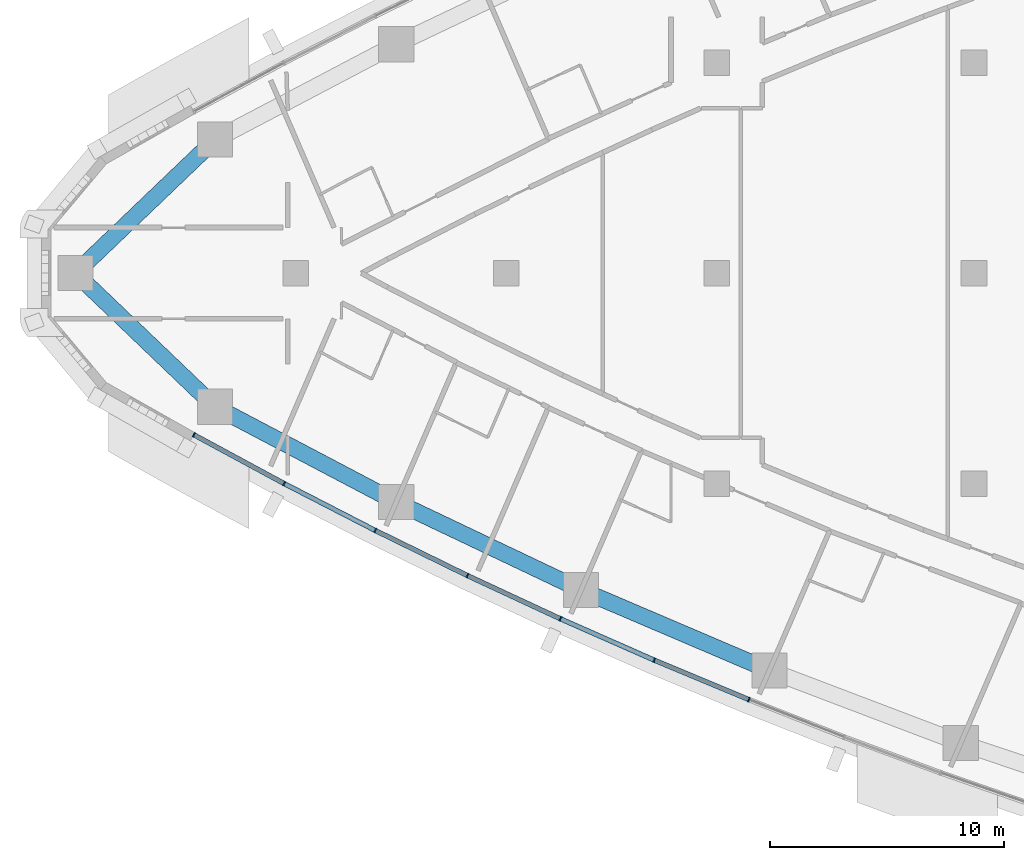
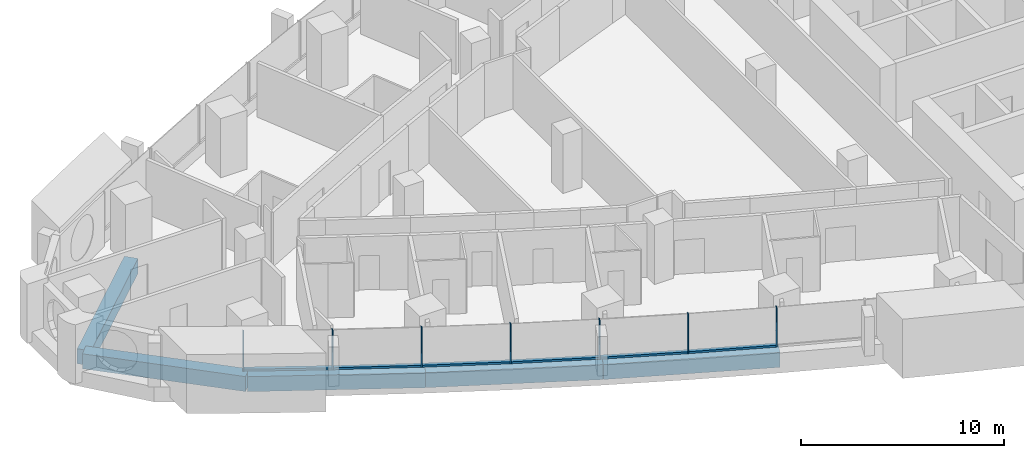
# One storey, part 2 of 17: 13 members, 5 beams, 3 elements without a shape of their own.
"""IFC4 building model written with IfcOpenShell, lengths in metres."""

from ifc_helpers import new_model, si_unit, direction, frame, origin, origin_2d, place, context, subcontext, project, spatial, rectangle, extrude, material, layer, layer_set, material_profile, profile_set, type_object, element, aggregate, save


model = new_model("IFC4")

# Units and contexts
model_context = context("Model", 3, precision=1e-05, world=origin(), true_north=direction((0.0, 1.0)))
body_context = subcontext(model_context, "Body", "Model", "MODEL_VIEW")
ifc_project = project(units=[si_unit("LENGTHUNIT", "METRE"), si_unit("AREAUNIT", "SQUARE_METRE"), si_unit("VOLUMEUNIT", "CUBIC_METRE"), si_unit("PLANEANGLEUNIT", "RADIAN"), si_unit("MASSUNIT", "GRAM", prefix="KILO")], contexts=[model_context])

# Site, building, storey
site_placement = place(None, origin())
site = spatial("IfcSite", under=ifc_project, at=site_placement, CompositionType="ELEMENT")
building_placement = place(site_placement, origin())
building = spatial("IfcBuilding", under=site, at=building_placement, Name="Ostrand Prow Hotel Tower", CompositionType="ELEMENT")
storey_placement = place(building_placement, frame((0.0, 0.0, 155.050048828125)))
storey = spatial("IfcBuildingStorey", under=building, at=storey_placement, Name="L38", CompositionType="ELEMENT", Elevation=155.050048828125)

# Beams
ifc_material_1 = material(Name="Concrete C70/85", Category="concrete")
ifc_material_profile_1 = material_profile(ifc_material_1, rectangle(XDim=0.699951171875, YDim=0.89990234375, at=origin_2d()), Name="RC 700x900")
ifc_profile_set_1 = profile_set([ifc_material_profile_1], Name="Concrete C70/85")
beam_type = type_object("IfcBeamType", Name="Edge beam 700x900 C70/85", PredefinedType="SPANDREL", material=ifc_profile_set_1)
beam_1_placement = place(storey_placement, frame((6.580078125, 0.0, -0.75), z_axis=(0.722689968521, -0.691172344209, 0.0), x_axis=(0.691172344209, 0.722689968521, 0.0)))
element("IfcBeam", 1, at=beam_1_placement, inside=storey, type_object=beam_type, Name="Edge beam P-S1", PredefinedType="SPANDREL", context=body_context, shape_type="SweptSolid", body=[
    extrude(rectangle(XDim=0.699951171875, YDim=0.89990234375, at=origin_2d()), origin(), (0.0, 0.0, 1.0), 8.26513671875),
])
for number, where, z_axis, x_axis, name in (
    (2, (12.55322265625, -5.712646484375, -0.75), (0.885016215308, -0.465560198731, 0.0), (0.465560198731, 0.885016215308, 0.0), "Edge beam S1-S2"),
    (3, (20.300048828125, -9.787841796875, -0.75), (0.903083113352, -0.429465819803, 0.0), (0.429465819803, 0.903083113352, 0.0), "Edge beam S2-S3"),
    (4, (28.205078125, -13.547119140625, -0.75), (0.919700966994, -0.392619575811, 0.0), (0.392619575811, 0.919700966994, 0.0), "Edge beam S3-S4"),
):
    element("IfcBeam", number, at=place(storey_placement, frame(where, z_axis=z_axis, x_axis=x_axis)), inside=storey, type_object=beam_type, Name=name, PredefinedType="SPANDREL", context=body_context, shape_type="SweptSolid", body=[
        extrude(rectangle(XDim=0.699951171875, YDim=0.89990234375, at=origin_2d()), origin(), (0.0, 0.0, 1.0), 8.75341796875),
    ])
beam_2_placement = place(storey_placement, frame((12.55322265625, 5.712646484375, -0.75), z_axis=(-0.722689968521, -0.691172344209, 0.0), x_axis=(0.691172344209, -0.722689968521, 0.0)))
element("IfcBeam", 5, at=beam_2_placement, inside=storey, type_object=beam_type, Name="Edge beam N6-P", PredefinedType="SPANDREL", context=body_context, shape_type="SweptSolid", body=[
    extrude(rectangle(XDim=0.699951171875, YDim=0.89990234375, at=origin_2d()), origin(), (0.0, 0.0, 1.0), 8.26513671875),
])

# Curtain wall, members
ifc_material_2 = material(Name="Insulated glass in bronze anodised frame", Category="glass")
ifc_layer = layer(ifc_material_2, 0.199951171875)
ifc_layer_set = layer_set([ifc_layer], Name="Insulated glass in bronze anodised frame")
curtain_wall_type = type_object("IfcCurtainWallType", Name="Strip curtain wall, fritted glass over bronze spandrel", PredefinedType="NOTDEFINED", material=ifc_layer_set)
curtain_wall_1_placement = place(storey_placement, origin())
curtain_wall_1 = element("IfcCurtainWall", 6, at=curtain_wall_1_placement, inside=storey, type_object=curtain_wall_type, Name="CW1 run CWS1", PredefinedType="NOTDEFINED")
ifc_material_3 = material(Name="Bronze anodised aluminium", Category="aluminium")
ifc_material_profile_2 = material_profile(ifc_material_3, rectangle(XDim=0.199951171875, YDim=0.06005859375, at=origin_2d()), Name="Mullion 60x200 bronze anodised aluminium")
ifc_profile_set_2 = profile_set([ifc_material_profile_2], Name="Bronze anodised aluminium")
member_type_1 = type_object("IfcMemberType", Name="Mullion 60x200 bronze anodised aluminium", PredefinedType="MULLION", material=ifc_profile_set_2)
member_1_placement = place(storey_placement, frame((11.64306640625, -6.909423828125, 0.89990234375), z_axis=(0.0, 0.0, 1.0), x_axis=(0.475393901316, 0.879773060847, 0.0)))
member_1 = element("IfcMember", 7, at=member_1_placement, type_object=member_type_1, Name="CW1 mullion 1", PredefinedType="MULLION", context=body_context, shape_type="SweptSolid", body=[
    extrude(rectangle(XDim=0.199951171875, YDim=0.06005859375, at=origin_2d()), origin(), (0.0, 0.0, 1.0), 2.35009765625),
])
member_2_placement = place(storey_placement, frame((15.501708984375, -8.99462890625, 0.89990234375), z_axis=(0.0, 0.0, 1.0), x_axis=(0.457619429434, 0.889148164146, 0.0)))
member_2 = element("IfcMember", 8, at=member_2_placement, type_object=member_type_1, Name="CW1 mullion 2", PredefinedType="MULLION", context=body_context, shape_type="SweptSolid", body=[
    extrude(rectangle(XDim=0.199951171875, YDim=0.06005859375, at=origin_2d()), origin(), (0.0, 0.0, 1.0), 2.35009765625),
])
member_3_placement = place(storey_placement, frame((19.401611328125, -11.001708984375, 0.89990234375), z_axis=(0.0, 0.0, 1.0), x_axis=(0.457619429434, 0.889148164146, 0.0)))
member_3 = element("IfcMember", 9, at=member_3_placement, type_object=member_type_1, Name="CW1 mullion 3", PredefinedType="MULLION", context=body_context, shape_type="SweptSolid", body=[
    extrude(rectangle(XDim=0.199951171875, YDim=0.06005859375, at=origin_2d()), origin(), (0.0, 0.0, 1.0), 2.35009765625),
])

curtain_wall_2_placement = place(storey_placement, origin())
curtain_wall_2 = element("IfcCurtainWall", 10, at=curtain_wall_2_placement, inside=storey, type_object=curtain_wall_type, Name="CW1 run CWS2", PredefinedType="NOTDEFINED")
member_4_placement = place(storey_placement, frame((23.341064453125, -12.93017578125, 0.89990234375), z_axis=(0.0, 0.0, 1.0), x_axis=(0.421521761673, 0.906818286337, 0.0)))
member_4 = element("IfcMember", 11, at=member_4_placement, type_object=member_type_1, Name="CW1 mullion 2", PredefinedType="MULLION", context=body_context, shape_type="SweptSolid", body=[
    extrude(rectangle(XDim=0.199951171875, YDim=0.06005859375, at=origin_2d()), origin(), (0.0, 0.0, 1.0), 2.35009765625),
])
member_5_placement = place(storey_placement, frame((27.318359375, -14.77880859375, 0.89990234375), z_axis=(0.0, 0.0, 1.0), x_axis=(0.421521761673, 0.906818286337, 0.0)))
member_5 = element("IfcMember", 12, at=member_5_placement, type_object=member_type_1, Name="CW1 mullion 3", PredefinedType="MULLION", context=body_context, shape_type="SweptSolid", body=[
    extrude(rectangle(XDim=0.199951171875, YDim=0.06005859375, at=origin_2d()), origin(), (0.0, 0.0, 1.0), 2.35009765625),
])

curtain_wall_3_placement = place(storey_placement, origin())
curtain_wall_3 = element("IfcCurtainWall", 13, at=curtain_wall_3_placement, inside=storey, type_object=curtain_wall_type, Name="CW1 run CWS3", PredefinedType="NOTDEFINED")
member_6_placement = place(storey_placement, frame((31.332275390625, -16.54736328125, 0.89990234375), z_axis=(0.0, 0.0, 1.0), x_axis=(0.384743220418, 0.92302364777, 0.0)))
member_6 = element("IfcMember", 14, at=member_6_placement, type_object=member_type_1, Name="CW1 mullion 2", PredefinedType="MULLION", context=body_context, shape_type="SweptSolid", body=[
    extrude(rectangle(XDim=0.199951171875, YDim=0.06005859375, at=origin_2d()), origin(), (0.0, 0.0, 1.0), 2.35009765625),
])
member_7_placement = place(storey_placement, frame((35.380615234375, -18.235107421875, 0.89990234375), z_axis=(0.0, 0.0, 1.0), x_axis=(0.384743220418, 0.92302364777, 0.0)))
member_7 = element("IfcMember", 15, at=member_7_placement, type_object=member_type_1, Name="CW1 mullion 3", PredefinedType="MULLION", context=body_context, shape_type="SweptSolid", body=[
    extrude(rectangle(XDim=0.199951171875, YDim=0.06005859375, at=origin_2d()), origin(), (0.0, 0.0, 1.0), 2.35009765625),
])

# Member
ifc_material_4 = material(Name="Bronze anodised aluminium", Category="aluminium")
ifc_material_profile_3 = material_profile(ifc_material_4, rectangle(XDim=0.199951171875, YDim=0.1201171875, at=origin_2d()), Name="Transom 120x200 bronze anodised aluminium")
ifc_profile_set_3 = profile_set([ifc_material_profile_3], Name="Bronze anodised aluminium")
member_type_2 = type_object("IfcMemberType", Name="Transom 120x200 bronze anodised aluminium", PredefinedType="USERDEFINED", material=ifc_profile_set_3)
member_8_placement = place(storey_placement, frame((11.66943359375, -6.923583984375, 0.9599609375), z_axis=(0.879765206929, -0.475408435639, 0.0), x_axis=(0.475408435639, 0.879765206929, 0.0)))
member_8 = element("IfcMember", 16, at=member_8_placement, type_object=member_type_2, Name="CW1 transom 1.1", ObjectType="TRANSOM", PredefinedType="USERDEFINED", context=body_context, shape_type="SweptSolid", body=[
    extrude(rectangle(XDim=0.199951171875, YDim=0.1201171875, at=origin_2d()), origin(), (0.0, 0.0, 1.0), 4.326171875),
])

member_9_placement = place(storey_placement, frame((15.528564453125, -9.00830078125, 0.9599609375), z_axis=(0.88914020052, -0.457634902318, 0.0), x_axis=(0.457634902318, 0.88914020052, 0.0)))
member_9 = element("IfcMember", 17, at=member_9_placement, type_object=member_type_2, Name="CW1 transom 2.1", ObjectType="TRANSOM", PredefinedType="USERDEFINED", context=body_context, shape_type="SweptSolid", body=[
    extrude(rectangle(XDim=0.199951171875, YDim=0.1201171875, at=origin_2d()), origin(), (0.0, 0.0, 1.0), 4.325927734375),
])

aggregate(curtain_wall_1, [member_1, member_2, member_3, member_8, member_9])

member_10_placement = place(storey_placement, frame((19.4287109375, -11.014892578125, 0.9599609375), z_axis=(0.89815413626, -0.439680733623, 0.0), x_axis=(0.439680733623, 0.89815413626, 0.0)))
member_10 = element("IfcMember", 18, at=member_10_placement, type_object=member_type_2, Name="CW1 transom 1.1", ObjectType="TRANSOM", PredefinedType="USERDEFINED", context=body_context, shape_type="SweptSolid", body=[
    extrude(rectangle(XDim=0.199951171875, YDim=0.1201171875, at=origin_2d()), origin(), (0.0, 0.0, 1.0), 4.326171875),
])

member_11_placement = place(storey_placement, frame((23.368408203125, -12.942626953125, 0.9599609375), z_axis=(0.906796377468, -0.421568890944, 0.0), x_axis=(0.421568890944, 0.906796377468, 0.0)))
member_11 = element("IfcMember", 19, at=member_11_placement, type_object=member_type_2, Name="CW1 transom 2.1", ObjectType="TRANSOM", PredefinedType="USERDEFINED", context=body_context, shape_type="SweptSolid", body=[
    extrude(rectangle(XDim=0.199951171875, YDim=0.1201171875, at=origin_2d()), origin(), (0.0, 0.0, 1.0), 4.326171875),
])

aggregate(curtain_wall_2, [member_4, member_5, member_10, member_11])

member_12_placement = place(storey_placement, frame((27.345947265625, -14.791015625, 0.9599609375), z_axis=(0.91509853977, -0.403230284715, 0.0), x_axis=(0.403230284715, 0.91509853977, 0.0)))
member_12 = element("IfcMember", 20, at=member_12_placement, type_object=member_type_2, Name="CW1 transom 1.1", ObjectType="TRANSOM", PredefinedType="USERDEFINED", context=body_context, shape_type="SweptSolid", body=[
    extrude(rectangle(XDim=0.199951171875, YDim=0.1201171875, at=origin_2d()), origin(), (0.0, 0.0, 1.0), 4.325927734375),
])

member_13_placement = place(storey_placement, frame((31.35986328125, -16.55908203125, 0.9599609375), z_axis=(0.923028493412, -0.384731595206, 0.0), x_axis=(0.384731595206, 0.923028493412, 0.0)))
member_13 = element("IfcMember", 21, at=member_13_placement, type_object=member_type_2, Name="CW1 transom 2.1", ObjectType="TRANSOM", PredefinedType="USERDEFINED", context=body_context, shape_type="SweptSolid", body=[
    extrude(rectangle(XDim=0.199951171875, YDim=0.1201171875, at=origin_2d()), origin(), (0.0, 0.0, 1.0), 4.325927734375),
])

aggregate(curtain_wall_3, [member_6, member_7, member_12, member_13])

save(model, "model.ifc")
